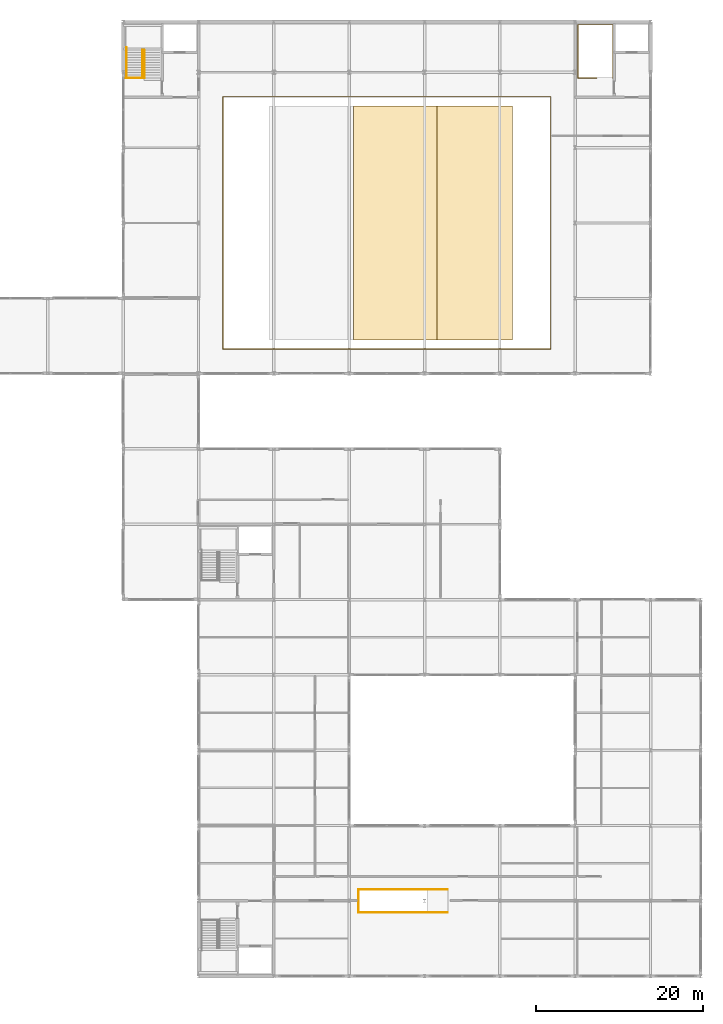
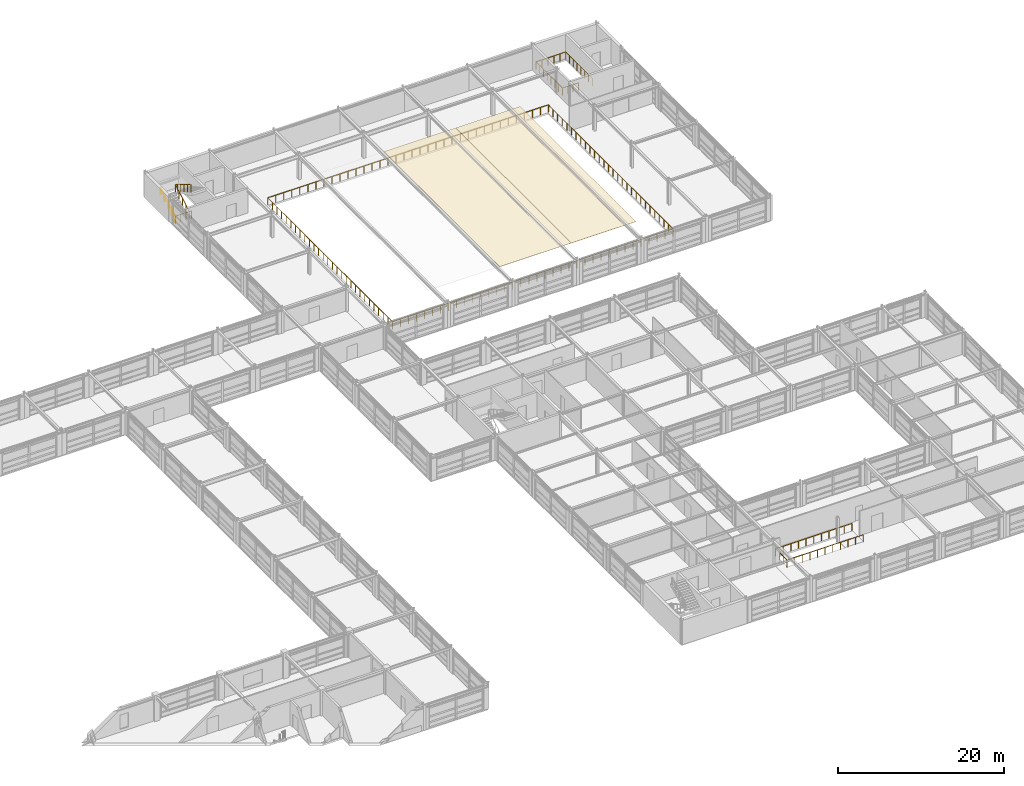
# One storey, part 79 of 79: 6 railings, 2 coverings.
"""IFC4 building model written with IfcOpenShell, lengths in metres."""

from ifc_helpers import new_model, si_unit, direction, frame, origin, origin_2d, place, context, subcontext, project, spatial, polyline, circle, outline, extrude, material, layer, layer_set, type_object, element, save


model = new_model("IFC4")

# Units and contexts
model_context = context("Model", 3, precision=1e-05, world=origin(), true_north=direction((0.0, 1.0)))
body_context = subcontext(model_context, "Body", "Model", "MODEL_VIEW")
ifc_project = project(units=[si_unit("LENGTHUNIT", "METRE"), si_unit("AREAUNIT", "SQUARE_METRE"), si_unit("VOLUMEUNIT", "CUBIC_METRE"), si_unit("PLANEANGLEUNIT", "RADIAN"), si_unit("MASSUNIT", "GRAM", prefix="KILO")], contexts=[model_context])

# Site, building, storey
site_placement = place(None, origin())
site = spatial("IfcSite", under=ifc_project, at=site_placement, CompositionType="ELEMENT")
building_placement = place(site_placement, origin())
building = spatial("IfcBuilding", under=site, at=building_placement, Name="Palais des Congres Ocreval", CompositionType="ELEMENT")
storey_placement = place(building_placement, frame((0.0, 0.0, 4.320068359375)))
storey = spatial("IfcBuildingStorey", under=building, at=storey_placement, Name="L01", CompositionType="ELEMENT", Elevation=4.320068359375)

# Coverings
ifc_material_1 = material(Name="Solid French oak acoustic ceiling", Category="wood")
ifc_layer = layer(ifc_material_1, 0.0400390625)
ifc_layer_set = layer_set([ifc_layer], Name="Acoustic Perforated Timber Ceiling 40 (Solid French oak acoustic ceiling)")
covering_type = type_object("IfcCoveringType", Name="Acoustic Perforated Timber Ceiling 40", PredefinedType="CEILING", material=ifc_layer_set)
covering_1_placement = place(storey_placement, frame((0.0, 0.0, 3.054931640625)))
element("IfcCovering", 1, at=covering_1_placement, inside=storey, type_object=covering_type, Name="Grand Ballroom Salon B Acoustic Ceiling", PredefinedType="CEILING", context=body_context, shape_type="SweptSolid", body=[
    extrude(outline(polyline([(126.5, 76.0), (136.5, 76.0), (136.5, 104.0), (126.5, 104.0), (126.5, 76.0)])), origin(), (0.0, 0.0, 1.0), 0.0400390625),
])
covering_2_placement = place(storey_placement, frame((0.0, 0.0, 3.054931640625)))
element("IfcCovering", 2, at=covering_2_placement, inside=storey, type_object=covering_type, Name="Grand Ballroom Salon C Acoustic Ceiling", PredefinedType="CEILING", context=body_context, shape_type="SweptSolid", body=[
    extrude(outline(polyline([(136.5, 76.0), (145.5, 76.0), (145.5, 104.0), (136.5, 104.0), (136.5, 76.0)])), origin(), (0.0, 0.0, 1.0), 0.0400390625),
])

# Railings
ifc_material_2 = material(Name="Anodized bronze aluminium", Category="aluminium")
railing_type_1 = type_object("IfcRailingType", Name="Bronze Stair and Ramp Handrail 900", PredefinedType="HANDRAIL", material=ifc_material_2)
railing_1_placement = place(storey_placement, frame((99.3798828125, 107.35009765625, 0.159912109375)))
element("IfcRailing", 3, at=railing_1_placement, inside=storey, type_object=railing_type_1, Name="Stair Wall Handrail ST07 L01", PredefinedType="HANDRAIL", context=body_context, shape_type="SweptSolid", body=[
    extrude(circle(Radius=0.02392578125, at=origin_2d()), frame((0.0, 0.0, 0.8759765625), z_axis=(0.0, 0.882352941176, 0.470588235294), x_axis=(-1.0, 0.0, 0.0)), (0.0, 0.0, 1.0), 4.079833984375),
    extrude(circle(Radius=0.02099609375, at=origin_2d()), origin(), (0.0, 0.0, 1.0), 0.851806640625),
    extrude(circle(Radius=0.02099609375, at=origin_2d()), frame((0.0, 0.89990234375, 0.47998046875)), (0.0, 0.0, 1.0), 0.851806640625),
    extrude(circle(Radius=0.02099609375, at=origin_2d()), frame((0.0, 1.7998046875, 0.9599609375)), (0.0, 0.0, 1.0), 0.851806640625),
    extrude(circle(Radius=0.02099609375, at=origin_2d()), frame((0.0, 2.699951171875, 1.43994140625)), (0.0, 0.0, 1.0), 0.851806640625),
    extrude(circle(Radius=0.02099609375, at=origin_2d()), frame((0.0, 3.599853515625, 1.919921875)), (0.0, 0.0, 1.0), 0.851806640625),
])
ifc_material_3 = material(Name="Steel S355", Category="steel")
railing_type_2 = type_object("IfcRailingType", Name="Stairwell Steel Guardrail 1100", PredefinedType="GUARDRAIL", material=ifc_material_3)
railing_2_placement = place(storey_placement, frame((99.320068359375, 107.300048828125, 0.0)))
element("IfcRailing", 4, at=railing_2_placement, inside=storey, type_object=railing_type_2, Name="Stairwell Landing Edge Guard ST07 L01", PredefinedType="GUARDRAIL", context=body_context, shape_type="SweptSolid", body=[
    extrude(circle(Radius=0.02392578125, at=origin_2d()), frame((0.0, 0.0, 1.076171875), z_axis=(1.0, 0.0, 0.0), x_axis=(0.0, 1.0, 0.0)), (0.0, 0.0, 1.0), 2.25),
    extrude(circle(Radius=0.02099609375, at=origin_2d()), origin(), (0.0, 0.0, 1.0), 1.052001953125),
    extrude(circle(Radius=0.02099609375, at=origin_2d()), frame((0.75, 0.0, 0.0)), (0.0, 0.0, 1.0), 1.052001953125),
    extrude(circle(Radius=0.02099609375, at=origin_2d()), frame((1.5, 0.0, 0.0)), (0.0, 0.0, 1.0), 1.052001953125),
    extrude(circle(Radius=0.02099609375, at=origin_2d()), frame((2.25, 0.0, 0.0)), (0.0, 0.0, 1.0), 1.052001953125),
])
railing_3_placement = place(storey_placement, frame((101.280029296875, 107.35009765625, 0.0)))
element("IfcRailing", 5, at=railing_3_placement, inside=storey, type_object=railing_type_2, Name="Stair Inner Guardrail ST07 L01", PredefinedType="GUARDRAIL", context=body_context, shape_type="SweptSolid", body=[
    extrude(circle(Radius=0.02392578125, at=origin_2d()), frame((0.0, 0.0, 1.076171875), z_axis=(0.0, 0.86434429443, 0.502900527626), x_axis=(-1.0, 0.0, 0.0)), (0.0, 0.0, 1.0), 3.817626953125),
    extrude(circle(Radius=0.02392578125, at=origin_2d()), frame((0.0, 3.2998046875, 2.99609375), z_axis=(1.0, 0.0, 0.0), x_axis=(0.0, 1.0, 0.0)), (0.0, 0.0, 1.0), 0.239990234375),
    extrude(circle(Radius=0.02392578125, at=origin_2d()), frame((0.239990234375, 3.2998046875, 2.99609375), z_axis=(0.0, -0.86434429443, 0.502900527626), x_axis=(1.0, 0.0, 0.0)), (0.0, 0.0, 1.0), 3.817626953125),
    extrude(circle(Radius=0.02099609375, at=origin_2d()), origin(), (0.0, 0.0, 1.0), 1.052001953125),
    extrude(circle(Radius=0.02099609375, at=origin_2d()), frame((0.0, 0.824951171875, 0.47998046875)), (0.0, 0.0, 1.0), 1.052001953125),
    extrude(circle(Radius=0.02099609375, at=origin_2d()), frame((0.0, 1.64990234375, 0.9599609375)), (0.0, 0.0, 1.0), 1.052001953125),
    extrude(circle(Radius=0.02099609375, at=origin_2d()), frame((0.0, 2.474853515625, 1.43994140625)), (0.0, 0.0, 1.0), 1.052001953125),
    extrude(circle(Radius=0.02099609375, at=origin_2d()), frame((0.0, 3.2998046875, 1.919921875)), (0.0, 0.0, 1.0), 1.052001953125),
    extrude(circle(Radius=0.02099609375, at=origin_2d()), frame((0.239990234375, 3.2998046875, 1.919921875)), (0.0, 0.0, 1.0), 1.052001953125),
    extrude(circle(Radius=0.02099609375, at=origin_2d()), frame((0.239990234375, 2.474853515625, 2.39990234375)), (0.0, 0.0, 1.0), 1.052001953125),
    extrude(circle(Radius=0.02099609375, at=origin_2d()), frame((0.239990234375, 1.64990234375, 2.8798828125)), (0.0, 0.0, 1.0), 1.052001953125),
    extrude(circle(Radius=0.02099609375, at=origin_2d()), frame((0.239990234375, 0.824951171875, 3.35986328125)), (0.0, 0.0, 1.0), 1.052001953125),
    extrude(circle(Radius=0.02099609375, at=origin_2d()), frame((0.239990234375, 0.0, 3.83984375)), (0.0, 0.0, 1.0), 1.052001953125),
])
railing_4_placement = place(storey_placement, frame((155.570068359375, 107.300048828125, 0.0)))
element("IfcRailing", 6, at=railing_4_placement, inside=storey, type_object=railing_type_2, Name="Top-Landing Stairwell Perimeter Guard ST08 L01", PredefinedType="GUARDRAIL", context=body_context, shape_type="SweptSolid", body=[
    extrude(circle(Radius=0.02392578125, at=origin_2d()), frame((0.0, 0.0, 1.076171875), z_axis=(-1.0, 0.0, 0.0), x_axis=(0.0, -1.0, 0.0)), (0.0, 0.0, 1.0), 2.25),
    extrude(circle(Radius=0.02392578125, at=origin_2d()), frame((-2.25, 0.0, 1.076171875), z_axis=(0.0, 1.0, 0.0), x_axis=(-1.0, 0.0, 0.0)), (0.0, 0.0, 1.0), 6.3798828125),
    extrude(circle(Radius=0.02392578125, at=origin_2d()), frame((-2.25, 6.3798828125, 1.076171875), z_axis=(1.0, 0.0, 0.0), x_axis=(0.0, 1.0, 0.0)), (0.0, 0.0, 1.0), 4.159912109375),
    extrude(circle(Radius=0.02392578125, at=origin_2d()), frame((1.909912109375, 6.3798828125, 1.076171875), z_axis=(0.0, -1.0, 0.0), x_axis=(1.0, 0.0, 0.0)), (0.0, 0.0, 1.0), 6.3798828125),
    extrude(circle(Radius=0.02099609375, at=origin_2d()), origin(), (0.0, 0.0, 1.0), 1.052001953125),
    extrude(circle(Radius=0.02099609375, at=origin_2d()), frame((-0.75, 0.0, 0.0)), (0.0, 0.0, 1.0), 1.052001953125),
    extrude(circle(Radius=0.02099609375, at=origin_2d()), frame((-1.5, 0.0, 0.0)), (0.0, 0.0, 1.0), 1.052001953125),
    extrude(circle(Radius=0.02099609375, at=origin_2d()), frame((-2.25, 0.0, 0.0)), (0.0, 0.0, 1.0), 1.052001953125),
    extrude(circle(Radius=0.02099609375, at=origin_2d()), frame((-2.25, 0.911376953125, 0.0)), (0.0, 0.0, 1.0), 1.052001953125),
    extrude(circle(Radius=0.02099609375, at=origin_2d()), frame((-2.25, 1.82275390625, 0.0)), (0.0, 0.0, 1.0), 1.052001953125),
    extrude(circle(Radius=0.02099609375, at=origin_2d()), frame((-2.25, 2.734130859375, 0.0)), (0.0, 0.0, 1.0), 1.052001953125),
    extrude(circle(Radius=0.02099609375, at=origin_2d()), frame((-2.25, 3.645751953125, 0.0)), (0.0, 0.0, 1.0), 1.052001953125),
    extrude(circle(Radius=0.02099609375, at=origin_2d()), frame((-2.25, 4.55712890625, 0.0)), (0.0, 0.0, 1.0), 1.052001953125),
    extrude(circle(Radius=0.02099609375, at=origin_2d()), frame((-2.25, 5.468505859375, 0.0)), (0.0, 0.0, 1.0), 1.052001953125),
    extrude(circle(Radius=0.02099609375, at=origin_2d()), frame((-2.25, 6.3798828125, 0.0)), (0.0, 0.0, 1.0), 1.052001953125),
    extrude(circle(Radius=0.02099609375, at=origin_2d()), frame((-1.41796875, 6.3798828125, 0.0)), (0.0, 0.0, 1.0), 1.052001953125),
    extrude(circle(Radius=0.02099609375, at=origin_2d()), frame((-0.5859375, 6.3798828125, 0.0)), (0.0, 0.0, 1.0), 1.052001953125),
    extrude(circle(Radius=0.02099609375, at=origin_2d()), frame((0.245849609375, 6.3798828125, 0.0)), (0.0, 0.0, 1.0), 1.052001953125),
    extrude(circle(Radius=0.02099609375, at=origin_2d()), frame((1.077880859375, 6.3798828125, 0.0)), (0.0, 0.0, 1.0), 1.052001953125),
    extrude(circle(Radius=0.02099609375, at=origin_2d()), frame((1.909912109375, 6.3798828125, 0.0)), (0.0, 0.0, 1.0), 1.052001953125),
    extrude(circle(Radius=0.02099609375, at=origin_2d()), frame((1.909912109375, 5.468505859375, 0.0)), (0.0, 0.0, 1.0), 1.052001953125),
    extrude(circle(Radius=0.02099609375, at=origin_2d()), frame((1.909912109375, 4.55712890625, 0.0)), (0.0, 0.0, 1.0), 1.052001953125),
    extrude(circle(Radius=0.02099609375, at=origin_2d()), frame((1.909912109375, 3.645751953125, 0.0)), (0.0, 0.0, 1.0), 1.052001953125),
    extrude(circle(Radius=0.02099609375, at=origin_2d()), frame((1.909912109375, 2.734130859375, 0.0)), (0.0, 0.0, 1.0), 1.052001953125),
    extrude(circle(Radius=0.02099609375, at=origin_2d()), frame((1.909912109375, 1.82275390625, 0.0)), (0.0, 0.0, 1.0), 1.052001953125),
    extrude(circle(Radius=0.02099609375, at=origin_2d()), frame((1.909912109375, 0.911376953125, 0.0)), (0.0, 0.0, 1.0), 1.052001953125),
    extrude(circle(Radius=0.02099609375, at=origin_2d()), frame((1.909912109375, 0.0, 0.0)), (0.0, 0.0, 1.0), 1.052001953125),
])
railing_type_3 = type_object("IfcRailingType", Name="Terrace Bronze Balustrade 1100", PredefinedType="BALUSTRADE", material=ifc_material_2)
railing_5_placement = place(storey_placement, frame((137.75, 7.6201171875, 0.0)))
element("IfcRailing", 7, at=railing_5_placement, inside=storey, type_object=railing_type_3, Name="Feature Stair Well Balustrade ST12", PredefinedType="BALUSTRADE", context=body_context, shape_type="SweptSolid", body=[
    extrude(circle(Radius=0.02392578125, at=origin_2d()), frame((0.0, 0.0, 1.076171875), z_axis=(-1.0, 0.0, 0.0), x_axis=(0.0, -1.0, 0.0)), (0.0, 0.0, 1.0), 10.6298828125),
    extrude(circle(Radius=0.02392578125, at=origin_2d()), frame((-10.6298828125, 0.0, 1.076171875), z_axis=(0.0, 1.0, 0.0), x_axis=(-1.0, 0.0, 0.0)), (0.0, 0.0, 1.0), 2.759765625),
    extrude(circle(Radius=0.02392578125, at=origin_2d()), frame((-10.6298828125, 2.759765625, 1.076171875), z_axis=(1.0, 0.0, 0.0), x_axis=(0.0, 1.0, 0.0)), (0.0, 0.0, 1.0), 10.6298828125),
    extrude(circle(Radius=0.02099609375, at=origin_2d()), origin(), (0.0, 0.0, 1.0), 1.052001953125),
    extrude(circle(Radius=0.02099609375, at=origin_2d()), frame((-1.06298828125, 0.0, 0.0)), (0.0, 0.0, 1.0), 1.052001953125),
    extrude(circle(Radius=0.02099609375, at=origin_2d()), frame((-2.1259765625, 0.0, 0.0)), (0.0, 0.0, 1.0), 1.052001953125),
    extrude(circle(Radius=0.02099609375, at=origin_2d()), frame((-3.18896484375, 0.0, 0.0)), (0.0, 0.0, 1.0), 1.052001953125),
    extrude(circle(Radius=0.02099609375, at=origin_2d()), frame((-4.251953125, 0.0, 0.0)), (0.0, 0.0, 1.0), 1.052001953125),
    extrude(circle(Radius=0.02099609375, at=origin_2d()), frame((-5.31494140625, 0.0, 0.0)), (0.0, 0.0, 1.0), 1.052001953125),
    extrude(circle(Radius=0.02099609375, at=origin_2d()), frame((-6.3779296875, 0.0, 0.0)), (0.0, 0.0, 1.0), 1.052001953125),
    extrude(circle(Radius=0.02099609375, at=origin_2d()), frame((-7.44091796875, 0.0, 0.0)), (0.0, 0.0, 1.0), 1.052001953125),
    extrude(circle(Radius=0.02099609375, at=origin_2d()), frame((-8.50390625, 0.0, 0.0)), (0.0, 0.0, 1.0), 1.052001953125),
    extrude(circle(Radius=0.02099609375, at=origin_2d()), frame((-9.56689453125, 0.0, 0.0)), (0.0, 0.0, 1.0), 1.052001953125),
    extrude(circle(Radius=0.02099609375, at=origin_2d()), frame((-10.6298828125, 0.0, 0.0)), (0.0, 0.0, 1.0), 1.052001953125),
    extrude(circle(Radius=0.02099609375, at=origin_2d()), frame((-10.6298828125, 0.919921875, 0.0)), (0.0, 0.0, 1.0), 1.052001953125),
    extrude(circle(Radius=0.02099609375, at=origin_2d()), frame((-10.6298828125, 1.83984375, 0.0)), (0.0, 0.0, 1.0), 1.052001953125),
    extrude(circle(Radius=0.02099609375, at=origin_2d()), frame((-10.6298828125, 2.759765625, 0.0)), (0.0, 0.0, 1.0), 1.052001953125),
    extrude(circle(Radius=0.02099609375, at=origin_2d()), frame((-9.56689453125, 2.759765625, 0.0)), (0.0, 0.0, 1.0), 1.052001953125),
    extrude(circle(Radius=0.02099609375, at=origin_2d()), frame((-8.50390625, 2.759765625, 0.0)), (0.0, 0.0, 1.0), 1.052001953125),
    extrude(circle(Radius=0.02099609375, at=origin_2d()), frame((-7.44091796875, 2.759765625, 0.0)), (0.0, 0.0, 1.0), 1.052001953125),
    extrude(circle(Radius=0.02099609375, at=origin_2d()), frame((-6.3779296875, 2.759765625, 0.0)), (0.0, 0.0, 1.0), 1.052001953125),
    extrude(circle(Radius=0.02099609375, at=origin_2d()), frame((-5.31494140625, 2.759765625, 0.0)), (0.0, 0.0, 1.0), 1.052001953125),
    extrude(circle(Radius=0.02099609375, at=origin_2d()), frame((-4.251953125, 2.759765625, 0.0)), (0.0, 0.0, 1.0), 1.052001953125),
    extrude(circle(Radius=0.02099609375, at=origin_2d()), frame((-3.18896484375, 2.759765625, 0.0)), (0.0, 0.0, 1.0), 1.052001953125),
    extrude(circle(Radius=0.02099609375, at=origin_2d()), frame((-2.1259765625, 2.759765625, 0.0)), (0.0, 0.0, 1.0), 1.052001953125),
    extrude(circle(Radius=0.02099609375, at=origin_2d()), frame((-1.06298828125, 2.759765625, 0.0)), (0.0, 0.0, 1.0), 1.052001953125),
    extrude(circle(Radius=0.02099609375, at=origin_2d()), frame((0.0, 2.759765625, 0.0)), (0.0, 0.0, 1.0), 1.052001953125),
])
railing_6_placement = place(storey_placement, frame((110.919921875, 74.919921875, 0.0)))
element("IfcRailing", 8, at=railing_6_placement, inside=storey, type_object=railing_type_3, Name="Atrium Void Guard Balustrade VOID-L01-BALLROOM", PredefinedType="BALUSTRADE", context=body_context, shape_type="SweptSolid", body=[
    extrude(circle(Radius=0.02392578125, at=origin_2d()), frame((0.0, 0.0, 1.076171875), z_axis=(1.0, 0.0, 0.0), x_axis=(0.0, 1.0, 0.0)), (0.0, 0.0, 1.0), 39.16015625),
    extrude(circle(Radius=0.02392578125, at=origin_2d()), frame((39.16015625, 0.0, 1.076171875), z_axis=(0.0, 1.0, 0.0), x_axis=(-1.0, 0.0, 0.0)), (0.0, 0.0, 1.0), 30.16015625),
    extrude(circle(Radius=0.02392578125, at=origin_2d()), frame((39.16015625, 30.16015625, 1.076171875), z_axis=(-1.0, 0.0, 0.0), x_axis=(0.0, -1.0, 0.0)), (0.0, 0.0, 1.0), 39.16015625),
    extrude(circle(Radius=0.02392578125, at=origin_2d()), frame((0.0, 30.16015625, 1.076171875), z_axis=(0.0, -1.0, 0.0), x_axis=(1.0, 0.0, 0.0)), (0.0, 0.0, 1.0), 30.16015625),
    extrude(circle(Radius=0.02099609375, at=origin_2d()), origin(), (0.0, 0.0, 1.0), 1.052001953125),
    extrude(circle(Radius=0.02099609375, at=origin_2d()), frame((1.118896484375, 0.0, 0.0)), (0.0, 0.0, 1.0), 1.052001953125),
    extrude(circle(Radius=0.02099609375, at=origin_2d()), frame((2.23779296875, 0.0, 0.0)), (0.0, 0.0, 1.0), 1.052001953125),
    extrude(circle(Radius=0.02099609375, at=origin_2d()), frame((3.356689453125, 0.0, 0.0)), (0.0, 0.0, 1.0), 1.052001953125),
    extrude(circle(Radius=0.02099609375, at=origin_2d()), frame((4.475341796875, 0.0, 0.0)), (0.0, 0.0, 1.0), 1.052001953125),
    extrude(circle(Radius=0.02099609375, at=origin_2d()), frame((5.59423828125, 0.0, 0.0)), (0.0, 0.0, 1.0), 1.052001953125),
    extrude(circle(Radius=0.02099609375, at=origin_2d()), frame((6.713134765625, 0.0, 0.0)), (0.0, 0.0, 1.0), 1.052001953125),
    extrude(circle(Radius=0.02099609375, at=origin_2d()), frame((7.83203125, 0.0, 0.0)), (0.0, 0.0, 1.0), 1.052001953125),
    extrude(circle(Radius=0.02099609375, at=origin_2d()), frame((8.950927734375, 0.0, 0.0)), (0.0, 0.0, 1.0), 1.052001953125),
    extrude(circle(Radius=0.02099609375, at=origin_2d()), frame((10.06982421875, 0.0, 0.0)), (0.0, 0.0, 1.0), 1.052001953125),
    extrude(circle(Radius=0.02099609375, at=origin_2d()), frame((11.188720703125, 0.0, 0.0)), (0.0, 0.0, 1.0), 1.052001953125),
    extrude(circle(Radius=0.02099609375, at=origin_2d()), frame((12.307373046875, 0.0, 0.0)), (0.0, 0.0, 1.0), 1.052001953125),
    extrude(circle(Radius=0.02099609375, at=origin_2d()), frame((13.42626953125, 0.0, 0.0)), (0.0, 0.0, 1.0), 1.052001953125),
    extrude(circle(Radius=0.02099609375, at=origin_2d()), frame((14.545166015625, 0.0, 0.0)), (0.0, 0.0, 1.0), 1.052001953125),
    extrude(circle(Radius=0.02099609375, at=origin_2d()), frame((15.6640625, 0.0, 0.0)), (0.0, 0.0, 1.0), 1.052001953125),
    extrude(circle(Radius=0.02099609375, at=origin_2d()), frame((16.782958984375, 0.0, 0.0)), (0.0, 0.0, 1.0), 1.052001953125),
    extrude(circle(Radius=0.02099609375, at=origin_2d()), frame((17.90185546875, 0.0, 0.0)), (0.0, 0.0, 1.0), 1.052001953125),
    extrude(circle(Radius=0.02099609375, at=origin_2d()), frame((19.020751953125, 0.0, 0.0)), (0.0, 0.0, 1.0), 1.052001953125),
    extrude(circle(Radius=0.02099609375, at=origin_2d()), frame((20.139404296875, 0.0, 0.0)), (0.0, 0.0, 1.0), 1.052001953125),
    extrude(circle(Radius=0.02099609375, at=origin_2d()), frame((21.25830078125, 0.0, 0.0)), (0.0, 0.0, 1.0), 1.052001953125),
    extrude(circle(Radius=0.02099609375, at=origin_2d()), frame((22.377197265625, 0.0, 0.0)), (0.0, 0.0, 1.0), 1.052001953125),
    extrude(circle(Radius=0.02099609375, at=origin_2d()), frame((23.49609375, 0.0, 0.0)), (0.0, 0.0, 1.0), 1.052001953125),
    extrude(circle(Radius=0.02099609375, at=origin_2d()), frame((24.614990234375, 0.0, 0.0)), (0.0, 0.0, 1.0), 1.052001953125),
    extrude(circle(Radius=0.02099609375, at=origin_2d()), frame((25.73388671875, 0.0, 0.0)), (0.0, 0.0, 1.0), 1.052001953125),
    extrude(circle(Radius=0.02099609375, at=origin_2d()), frame((26.852783203125, 0.0, 0.0)), (0.0, 0.0, 1.0), 1.052001953125),
    extrude(circle(Radius=0.02099609375, at=origin_2d()), frame((27.971435546875, 0.0, 0.0)), (0.0, 0.0, 1.0), 1.052001953125),
    extrude(circle(Radius=0.02099609375, at=origin_2d()), frame((29.09033203125, 0.0, 0.0)), (0.0, 0.0, 1.0), 1.052001953125),
    extrude(circle(Radius=0.02099609375, at=origin_2d()), frame((30.209228515625, 0.0, 0.0)), (0.0, 0.0, 1.0), 1.052001953125),
    extrude(circle(Radius=0.02099609375, at=origin_2d()), frame((31.328125, 0.0, 0.0)), (0.0, 0.0, 1.0), 1.052001953125),
    extrude(circle(Radius=0.02099609375, at=origin_2d()), frame((32.447021484375, 0.0, 0.0)), (0.0, 0.0, 1.0), 1.052001953125),
    extrude(circle(Radius=0.02099609375, at=origin_2d()), frame((33.56591796875, 0.0, 0.0)), (0.0, 0.0, 1.0), 1.052001953125),
    extrude(circle(Radius=0.02099609375, at=origin_2d()), frame((34.684814453125, 0.0, 0.0)), (0.0, 0.0, 1.0), 1.052001953125),
    extrude(circle(Radius=0.02099609375, at=origin_2d()), frame((35.803466796875, 0.0, 0.0)), (0.0, 0.0, 1.0), 1.052001953125),
    extrude(circle(Radius=0.02099609375, at=origin_2d()), frame((36.92236328125, 0.0, 0.0)), (0.0, 0.0, 1.0), 1.052001953125),
    extrude(circle(Radius=0.02099609375, at=origin_2d()), frame((38.041259765625, 0.0, 0.0)), (0.0, 0.0, 1.0), 1.052001953125),
    extrude(circle(Radius=0.02099609375, at=origin_2d()), frame((39.16015625, 0.0, 0.0)), (0.0, 0.0, 1.0), 1.052001953125),
    extrude(circle(Radius=0.02099609375, at=origin_2d()), frame((39.16015625, 1.116943359375, 0.0)), (0.0, 0.0, 1.0), 1.052001953125),
    extrude(circle(Radius=0.02099609375, at=origin_2d()), frame((39.16015625, 2.234130859375, 0.0)), (0.0, 0.0, 1.0), 1.052001953125),
    extrude(circle(Radius=0.02099609375, at=origin_2d()), frame((39.16015625, 3.35107421875, 0.0)), (0.0, 0.0, 1.0), 1.052001953125),
    extrude(circle(Radius=0.02099609375, at=origin_2d()), frame((39.16015625, 4.46826171875, 0.0)), (0.0, 0.0, 1.0), 1.052001953125),
    extrude(circle(Radius=0.02099609375, at=origin_2d()), frame((39.16015625, 5.585205078125, 0.0)), (0.0, 0.0, 1.0), 1.052001953125),
    extrude(circle(Radius=0.02099609375, at=origin_2d()), frame((39.16015625, 6.7021484375, 0.0)), (0.0, 0.0, 1.0), 1.052001953125),
    extrude(circle(Radius=0.02099609375, at=origin_2d()), frame((39.16015625, 7.8193359375, 0.0)), (0.0, 0.0, 1.0), 1.052001953125),
    extrude(circle(Radius=0.02099609375, at=origin_2d()), frame((39.16015625, 8.936279296875, 0.0)), (0.0, 0.0, 1.0), 1.052001953125),
    extrude(circle(Radius=0.02099609375, at=origin_2d()), frame((39.16015625, 10.053466796875, 0.0)), (0.0, 0.0, 1.0), 1.052001953125),
    extrude(circle(Radius=0.02099609375, at=origin_2d()), frame((39.16015625, 11.17041015625, 0.0)), (0.0, 0.0, 1.0), 1.052001953125),
    extrude(circle(Radius=0.02099609375, at=origin_2d()), frame((39.16015625, 12.287353515625, 0.0)), (0.0, 0.0, 1.0), 1.052001953125),
    extrude(circle(Radius=0.02099609375, at=origin_2d()), frame((39.16015625, 13.404541015625, 0.0)), (0.0, 0.0, 1.0), 1.052001953125),
    extrude(circle(Radius=0.02099609375, at=origin_2d()), frame((39.16015625, 14.521484375, 0.0)), (0.0, 0.0, 1.0), 1.052001953125),
    extrude(circle(Radius=0.02099609375, at=origin_2d()), frame((39.16015625, 15.638671875, 0.0)), (0.0, 0.0, 1.0), 1.052001953125),
    extrude(circle(Radius=0.02099609375, at=origin_2d()), frame((39.16015625, 16.755615234375, 0.0)), (0.0, 0.0, 1.0), 1.052001953125),
    extrude(circle(Radius=0.02099609375, at=origin_2d()), frame((39.16015625, 17.872802734375, 0.0)), (0.0, 0.0, 1.0), 1.052001953125),
    extrude(circle(Radius=0.02099609375, at=origin_2d()), frame((39.16015625, 18.98974609375, 0.0)), (0.0, 0.0, 1.0), 1.052001953125),
    extrude(circle(Radius=0.02099609375, at=origin_2d()), frame((39.16015625, 20.106689453125, 0.0)), (0.0, 0.0, 1.0), 1.052001953125),
    extrude(circle(Radius=0.02099609375, at=origin_2d()), frame((39.16015625, 21.223876953125, 0.0)), (0.0, 0.0, 1.0), 1.052001953125),
    extrude(circle(Radius=0.02099609375, at=origin_2d()), frame((39.16015625, 22.3408203125, 0.0)), (0.0, 0.0, 1.0), 1.052001953125),
    extrude(circle(Radius=0.02099609375, at=origin_2d()), frame((39.16015625, 23.4580078125, 0.0)), (0.0, 0.0, 1.0), 1.052001953125),
    extrude(circle(Radius=0.02099609375, at=origin_2d()), frame((39.16015625, 24.574951171875, 0.0)), (0.0, 0.0, 1.0), 1.052001953125),
    extrude(circle(Radius=0.02099609375, at=origin_2d()), frame((39.16015625, 25.69189453125, 0.0)), (0.0, 0.0, 1.0), 1.052001953125),
    extrude(circle(Radius=0.02099609375, at=origin_2d()), frame((39.16015625, 26.80908203125, 0.0)), (0.0, 0.0, 1.0), 1.052001953125),
    extrude(circle(Radius=0.02099609375, at=origin_2d()), frame((39.16015625, 27.926025390625, 0.0)), (0.0, 0.0, 1.0), 1.052001953125),
    extrude(circle(Radius=0.02099609375, at=origin_2d()), frame((39.16015625, 29.043212890625, 0.0)), (0.0, 0.0, 1.0), 1.052001953125),
    extrude(circle(Radius=0.02099609375, at=origin_2d()), frame((39.16015625, 30.16015625, 0.0)), (0.0, 0.0, 1.0), 1.052001953125),
    extrude(circle(Radius=0.02099609375, at=origin_2d()), frame((38.041259765625, 30.16015625, 0.0)), (0.0, 0.0, 1.0), 1.052001953125),
    extrude(circle(Radius=0.02099609375, at=origin_2d()), frame((36.92236328125, 30.16015625, 0.0)), (0.0, 0.0, 1.0), 1.052001953125),
    extrude(circle(Radius=0.02099609375, at=origin_2d()), frame((35.803466796875, 30.16015625, 0.0)), (0.0, 0.0, 1.0), 1.052001953125),
    extrude(circle(Radius=0.02099609375, at=origin_2d()), frame((34.684814453125, 30.16015625, 0.0)), (0.0, 0.0, 1.0), 1.052001953125),
    extrude(circle(Radius=0.02099609375, at=origin_2d()), frame((33.56591796875, 30.16015625, 0.0)), (0.0, 0.0, 1.0), 1.052001953125),
    extrude(circle(Radius=0.02099609375, at=origin_2d()), frame((32.447021484375, 30.16015625, 0.0)), (0.0, 0.0, 1.0), 1.052001953125),
    extrude(circle(Radius=0.02099609375, at=origin_2d()), frame((31.328125, 30.16015625, 0.0)), (0.0, 0.0, 1.0), 1.052001953125),
    extrude(circle(Radius=0.02099609375, at=origin_2d()), frame((30.209228515625, 30.16015625, 0.0)), (0.0, 0.0, 1.0), 1.052001953125),
    extrude(circle(Radius=0.02099609375, at=origin_2d()), frame((29.09033203125, 30.16015625, 0.0)), (0.0, 0.0, 1.0), 1.052001953125),
    extrude(circle(Radius=0.02099609375, at=origin_2d()), frame((27.971435546875, 30.16015625, 0.0)), (0.0, 0.0, 1.0), 1.052001953125),
    extrude(circle(Radius=0.02099609375, at=origin_2d()), frame((26.852783203125, 30.16015625, 0.0)), (0.0, 0.0, 1.0), 1.052001953125),
    extrude(circle(Radius=0.02099609375, at=origin_2d()), frame((25.73388671875, 30.16015625, 0.0)), (0.0, 0.0, 1.0), 1.052001953125),
    extrude(circle(Radius=0.02099609375, at=origin_2d()), frame((24.614990234375, 30.16015625, 0.0)), (0.0, 0.0, 1.0), 1.052001953125),
    extrude(circle(Radius=0.02099609375, at=origin_2d()), frame((23.49609375, 30.16015625, 0.0)), (0.0, 0.0, 1.0), 1.052001953125),
    extrude(circle(Radius=0.02099609375, at=origin_2d()), frame((22.377197265625, 30.16015625, 0.0)), (0.0, 0.0, 1.0), 1.052001953125),
    extrude(circle(Radius=0.02099609375, at=origin_2d()), frame((21.25830078125, 30.16015625, 0.0)), (0.0, 0.0, 1.0), 1.052001953125),
    extrude(circle(Radius=0.02099609375, at=origin_2d()), frame((20.139404296875, 30.16015625, 0.0)), (0.0, 0.0, 1.0), 1.052001953125),
    extrude(circle(Radius=0.02099609375, at=origin_2d()), frame((19.020751953125, 30.16015625, 0.0)), (0.0, 0.0, 1.0), 1.052001953125),
    extrude(circle(Radius=0.02099609375, at=origin_2d()), frame((17.90185546875, 30.16015625, 0.0)), (0.0, 0.0, 1.0), 1.052001953125),
    extrude(circle(Radius=0.02099609375, at=origin_2d()), frame((16.782958984375, 30.16015625, 0.0)), (0.0, 0.0, 1.0), 1.052001953125),
    extrude(circle(Radius=0.02099609375, at=origin_2d()), frame((15.6640625, 30.16015625, 0.0)), (0.0, 0.0, 1.0), 1.052001953125),
    extrude(circle(Radius=0.02099609375, at=origin_2d()), frame((14.545166015625, 30.16015625, 0.0)), (0.0, 0.0, 1.0), 1.052001953125),
    extrude(circle(Radius=0.02099609375, at=origin_2d()), frame((13.42626953125, 30.16015625, 0.0)), (0.0, 0.0, 1.0), 1.052001953125),
    extrude(circle(Radius=0.02099609375, at=origin_2d()), frame((12.307373046875, 30.16015625, 0.0)), (0.0, 0.0, 1.0), 1.052001953125),
    extrude(circle(Radius=0.02099609375, at=origin_2d()), frame((11.188720703125, 30.16015625, 0.0)), (0.0, 0.0, 1.0), 1.052001953125),
    extrude(circle(Radius=0.02099609375, at=origin_2d()), frame((10.06982421875, 30.16015625, 0.0)), (0.0, 0.0, 1.0), 1.052001953125),
    extrude(circle(Radius=0.02099609375, at=origin_2d()), frame((8.950927734375, 30.16015625, 0.0)), (0.0, 0.0, 1.0), 1.052001953125),
    extrude(circle(Radius=0.02099609375, at=origin_2d()), frame((7.83203125, 30.16015625, 0.0)), (0.0, 0.0, 1.0), 1.052001953125),
    extrude(circle(Radius=0.02099609375, at=origin_2d()), frame((6.713134765625, 30.16015625, 0.0)), (0.0, 0.0, 1.0), 1.052001953125),
    extrude(circle(Radius=0.02099609375, at=origin_2d()), frame((5.59423828125, 30.16015625, 0.0)), (0.0, 0.0, 1.0), 1.052001953125),
    extrude(circle(Radius=0.02099609375, at=origin_2d()), frame((4.475341796875, 30.16015625, 0.0)), (0.0, 0.0, 1.0), 1.052001953125),
    extrude(circle(Radius=0.02099609375, at=origin_2d()), frame((3.356689453125, 30.16015625, 0.0)), (0.0, 0.0, 1.0), 1.052001953125),
    extrude(circle(Radius=0.02099609375, at=origin_2d()), frame((2.23779296875, 30.16015625, 0.0)), (0.0, 0.0, 1.0), 1.052001953125),
    extrude(circle(Radius=0.02099609375, at=origin_2d()), frame((1.118896484375, 30.16015625, 0.0)), (0.0, 0.0, 1.0), 1.052001953125),
    extrude(circle(Radius=0.02099609375, at=origin_2d()), frame((0.0, 30.16015625, 0.0)), (0.0, 0.0, 1.0), 1.052001953125),
    extrude(circle(Radius=0.02099609375, at=origin_2d()), frame((0.0, 29.043212890625, 0.0)), (0.0, 0.0, 1.0), 1.052001953125),
    extrude(circle(Radius=0.02099609375, at=origin_2d()), frame((0.0, 27.926025390625, 0.0)), (0.0, 0.0, 1.0), 1.052001953125),
    extrude(circle(Radius=0.02099609375, at=origin_2d()), frame((0.0, 26.80908203125, 0.0)), (0.0, 0.0, 1.0), 1.052001953125),
    extrude(circle(Radius=0.02099609375, at=origin_2d()), frame((0.0, 25.69189453125, 0.0)), (0.0, 0.0, 1.0), 1.052001953125),
    extrude(circle(Radius=0.02099609375, at=origin_2d()), frame((0.0, 24.574951171875, 0.0)), (0.0, 0.0, 1.0), 1.052001953125),
    extrude(circle(Radius=0.02099609375, at=origin_2d()), frame((0.0, 23.4580078125, 0.0)), (0.0, 0.0, 1.0), 1.052001953125),
    extrude(circle(Radius=0.02099609375, at=origin_2d()), frame((0.0, 22.3408203125, 0.0)), (0.0, 0.0, 1.0), 1.052001953125),
    extrude(circle(Radius=0.02099609375, at=origin_2d()), frame((0.0, 21.223876953125, 0.0)), (0.0, 0.0, 1.0), 1.052001953125),
    extrude(circle(Radius=0.02099609375, at=origin_2d()), frame((0.0, 20.106689453125, 0.0)), (0.0, 0.0, 1.0), 1.052001953125),
    extrude(circle(Radius=0.02099609375, at=origin_2d()), frame((0.0, 18.98974609375, 0.0)), (0.0, 0.0, 1.0), 1.052001953125),
    extrude(circle(Radius=0.02099609375, at=origin_2d()), frame((0.0, 17.872802734375, 0.0)), (0.0, 0.0, 1.0), 1.052001953125),
    extrude(circle(Radius=0.02099609375, at=origin_2d()), frame((0.0, 16.755615234375, 0.0)), (0.0, 0.0, 1.0), 1.052001953125),
    extrude(circle(Radius=0.02099609375, at=origin_2d()), frame((0.0, 15.638671875, 0.0)), (0.0, 0.0, 1.0), 1.052001953125),
    extrude(circle(Radius=0.02099609375, at=origin_2d()), frame((0.0, 14.521484375, 0.0)), (0.0, 0.0, 1.0), 1.052001953125),
    extrude(circle(Radius=0.02099609375, at=origin_2d()), frame((0.0, 13.404541015625, 0.0)), (0.0, 0.0, 1.0), 1.052001953125),
    extrude(circle(Radius=0.02099609375, at=origin_2d()), frame((0.0, 12.287353515625, 0.0)), (0.0, 0.0, 1.0), 1.052001953125),
    extrude(circle(Radius=0.02099609375, at=origin_2d()), frame((0.0, 11.17041015625, 0.0)), (0.0, 0.0, 1.0), 1.052001953125),
    extrude(circle(Radius=0.02099609375, at=origin_2d()), frame((0.0, 10.053466796875, 0.0)), (0.0, 0.0, 1.0), 1.052001953125),
    extrude(circle(Radius=0.02099609375, at=origin_2d()), frame((0.0, 8.936279296875, 0.0)), (0.0, 0.0, 1.0), 1.052001953125),
    extrude(circle(Radius=0.02099609375, at=origin_2d()), frame((0.0, 7.8193359375, 0.0)), (0.0, 0.0, 1.0), 1.052001953125),
    extrude(circle(Radius=0.02099609375, at=origin_2d()), frame((0.0, 6.7021484375, 0.0)), (0.0, 0.0, 1.0), 1.052001953125),
    extrude(circle(Radius=0.02099609375, at=origin_2d()), frame((0.0, 5.585205078125, 0.0)), (0.0, 0.0, 1.0), 1.052001953125),
    extrude(circle(Radius=0.02099609375, at=origin_2d()), frame((0.0, 4.46826171875, 0.0)), (0.0, 0.0, 1.0), 1.052001953125),
    extrude(circle(Radius=0.02099609375, at=origin_2d()), frame((0.0, 3.35107421875, 0.0)), (0.0, 0.0, 1.0), 1.052001953125),
    extrude(circle(Radius=0.02099609375, at=origin_2d()), frame((0.0, 2.234130859375, 0.0)), (0.0, 0.0, 1.0), 1.052001953125),
    extrude(circle(Radius=0.02099609375, at=origin_2d()), frame((0.0, 1.116943359375, 0.0)), (0.0, 0.0, 1.0), 1.052001953125),
])

save(model, "model.ifc")
